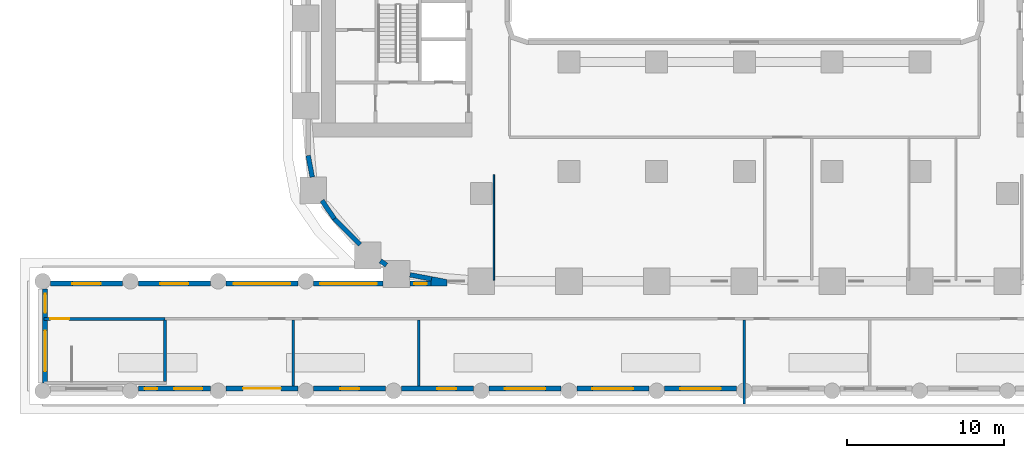
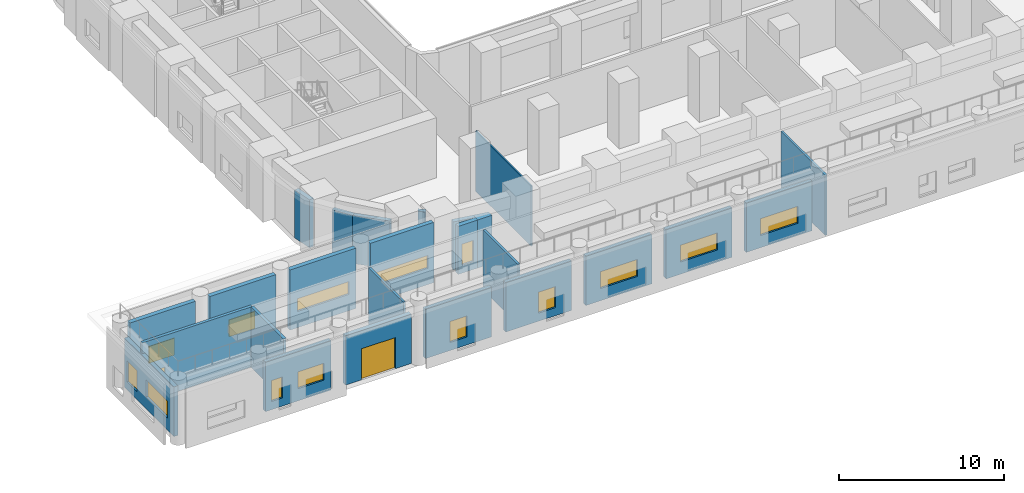
# One storey, part 2 of 13: 25 walls, 14 windows, 2 doors, 16 openings.
"""IFC4 building model written with IfcOpenShell, lengths in metres."""

from ifc_helpers import new_model, si_unit, direction, frame, frame_2d, origin, place, context, subcontext, project, spatial, polyline, rectangle, outline, extrude, material, layer, layer_set, type_object, element, fill, save


model = new_model("IFC4")

# Units and contexts
model_context = context("Model", 3, precision=1e-05, world=origin(), true_north=direction((0.0, 1.0)))
body_context = subcontext(model_context, "Body", "Model", "MODEL_VIEW")
ifc_project = project(units=[si_unit("LENGTHUNIT", "METRE"), si_unit("AREAUNIT", "SQUARE_METRE"), si_unit("VOLUMEUNIT", "CUBIC_METRE"), si_unit("PLANEANGLEUNIT", "RADIAN"), si_unit("MASSUNIT", "GRAM", prefix="KILO")], contexts=[model_context])

# Site, building, storey
site_placement = place(None, origin())
site = spatial("IfcSite", under=ifc_project, at=site_placement, CompositionType="ELEMENT")
building_placement = place(site_placement, origin())
building = spatial("IfcBuilding", under=site, at=building_placement, Name="Kiln Ring Residences", CompositionType="ELEMENT")
storey_placement = place(building_placement, frame((0.0, 0.0, 25.699951171875)))
storey = spatial("IfcBuildingStorey", under=building, at=storey_placement, Name="L05", CompositionType="ELEMENT", Elevation=25.699951171875)

# Walls
ifc_material_1 = material(Name="Brick masonry, dark clay brick", Category="masonry")
ifc_layer_1 = layer(ifc_material_1, 0.300048828125)
ifc_layer_set_1 = layer_set([ifc_layer_1], Name="EW-300 BRICK WALL")
wall_type_1 = type_object("IfcWallType", Name="EW-300 BRICK WALL", PredefinedType="SOLIDWALL", material=ifc_layer_set_1)
for number, where, z_axis, x_axis, name in (
    (1, (-27.8525390625, -14.371826171875, 0.0), (0.0, 0.0, 1.0), (0.187327504018, -0.982297514116, 0.0), "Facade wall L05 42"),
    (2, (-26.96923828125, -17.249755859375, 0.0), (0.0, 0.0, 1.0), (0.562010802008, -0.827129892112, 0.0), "Facade wall L05 43"),
):
    element("IfcWall", number, at=place(storey_placement, frame(where, z_axis=z_axis, x_axis=x_axis)), inside=storey, type_object=wall_type_1, Name=name, PredefinedType="SOLIDWALL", context=body_context, shape_type="SweptSolid", body=[
        extrude(rectangle(XDim=1.40625, YDim=0.300048828125, at=frame_2d((0.703125, 0.0))), origin(), (0.0, 0.0, 1.0), 3.550048828125),
    ])
wall_1_placement = place(storey_placement, frame((-26.19677734375, -18.390869140625, 0.0), z_axis=(0.0, 0.0, 1.0), x_axis=(0.707054835785, -0.707158722772, 0.0)))
element("IfcWall", 3, at=wall_1_placement, inside=storey, type_object=wall_type_1, Name="Facade wall L05 44", PredefinedType="SOLIDWALL", context=body_context, shape_type="SweptSolid", body=[
    extrude(rectangle(XDim=2.35009765625, YDim=0.300048828125, at=frame_2d((1.175048828125, 0.0))), origin(), (0.0, 0.0, 1.0), 3.550048828125),
])
wall_2_placement = place(storey_placement, frame((-23.244384765625, -21.10107421875, 0.0), z_axis=(0.0, 0.0, 1.0), x_axis=(0.827135885329, -0.562001981492, 0.0)))
element("IfcWall", 4, at=wall_2_placement, inside=storey, type_object=wall_type_1, Name="Facade wall L05 45", PredefinedType="SOLIDWALL", context=body_context, shape_type="SweptSolid", body=[
    extrude(rectangle(XDim=0.47705078125, YDim=0.300048828125, at=frame_2d((0.238525390625, 0.0))), origin(), (0.0, 0.0, 1.0), 4.449951171875),
])
wall_3_placement = place(storey_placement, frame((-21.35302734375, -21.9892578125, 0.0), z_axis=(0.0, 0.0, 1.0), x_axis=(0.98229142023, -0.187359455971, 0.0)))
element("IfcWall", 5, at=wall_3_placement, inside=storey, type_object=wall_type_1, Name="Facade wall L05 46", PredefinedType="SOLIDWALL", context=body_context, shape_type="SweptSolid", body=[
    extrude(rectangle(XDim=1.406005859375, YDim=0.300048828125, at=frame_2d((0.703125, 0.0))), origin(), (0.0, 0.0, 1.0), 3.550048828125),
])

# Wall, opening, window
wall_4_placement = place(storey_placement, frame((-20.0, -22.550048828125, 0.0), z_axis=(0.0, 0.0, 1.0), x_axis=(-1.0, 0.0, 0.0)))
wall_4 = element("IfcWall", 6, at=wall_4_placement, inside=storey, type_object=wall_type_1, Name="Facade wall L05 47", PredefinedType="SOLIDWALL", context=body_context, shape_type="SweptSolid", body=[
    extrude(rectangle(XDim=1.358642578125, YDim=0.300048828125, at=frame_2d((0.67919921875, 0.0))), origin(), (0.0, 0.0, 1.0), 3.550048828125),
])
opening_1_placement = place(wall_4_placement, frame((0.279296875, 0.0, 0.60009765625)))
opening_1 = element("IfcOpeningElement", 7, at=opening_1_placement, cuts=wall_4, Name="Opening W5", PredefinedType="OPENING", context=body_context, shape_type="SweptSolid", body=[
    extrude(rectangle(XDim=0.800048828125, YDim=1.550048828125, at=frame_2d((0.39990234375, 0.77490234375))), frame((0.0, 0.159912109375, 0.0), z_axis=(0.0, -1.0, 0.0), x_axis=(1.0, 0.0, 0.0)), (0.0, 0.0, 1.0), 0.320068359375),
])
ifc_material_2 = material(Name="Aluminium frame with double glazing", Category="aluminium")
window_type_1 = type_object("IfcWindowType", Name="WINDOW 800 x 1550", PartitioningType="SINGLE_PANEL", PredefinedType="WINDOW", material=ifc_material_2)
window_1_placement = place(opening_1_placement, origin())
window_1 = element("IfcWindow", 8, at=window_1_placement, inside=storey, type_object=window_type_1, Name="Window L05 19", OverallHeight=1.550048828125, OverallWidth=0.800048828125, PartitioningType="SINGLE_PANEL", PredefinedType="WINDOW", context=body_context, shape_type="SweptSolid", body=[
    extrude(rectangle(XDim=0.800048828125, YDim=1.550048828125, at=frame_2d((0.39990234375, 0.77490234375))), frame((0.0, 0.030029296875, 0.0), z_axis=(0.0, -1.0, 0.0), x_axis=(1.0, 0.0, 0.0)), (0.0, 0.0, 1.0), 0.06005859375),
])
fill(opening_1, window_1)

wall_5_placement = place(storey_placement, frame((-23.05859375, -22.550048828125, 0.0), z_axis=(0.0, 0.0, 1.0), x_axis=(-1.0, 0.0, 0.0)))
wall_5 = element("IfcWall", 9, at=wall_5_placement, inside=storey, type_object=wall_type_1, Name="Facade wall L05 48", PredefinedType="SOLIDWALL", context=body_context, shape_type="SweptSolid", body=[
    extrude(rectangle(XDim=4.44140625, YDim=0.300048828125, at=frame_2d((2.220703125, 0.0))), origin(), (0.0, 0.0, 1.0), 4.449951171875),
])
opening_2_placement = place(wall_5_placement, frame((0.420654296875, 0.0, 1.199951171875)))
opening_2 = element("IfcOpeningElement", 10, at=opening_2_placement, cuts=wall_5, Name="Opening W4", PredefinedType="OPENING", context=body_context, shape_type="SweptSolid", body=[
    extrude(rectangle(XDim=3.60009765625, YDim=0.949951171875, at=frame_2d((1.800048828125, 0.47509765625))), frame((0.0, 0.159912109375, 0.0), z_axis=(0.0, -1.0, 0.0), x_axis=(1.0, 0.0, 0.0)), (0.0, 0.0, 1.0), 0.320068359375),
])
ifc_material_3 = material(Name="Aluminium frame with double glazing", Category="aluminium")
window_type_2 = type_object("IfcWindowType", Name="WINDOW 3600 x 950", PartitioningType="SINGLE_PANEL", PredefinedType="WINDOW", material=ifc_material_3)
window_2_placement = place(opening_2_placement, origin())
window_2 = element("IfcWindow", 11, at=window_2_placement, inside=storey, type_object=window_type_2, Name="Window L05 20", OverallHeight=0.949951171875, OverallWidth=3.60009765625, PartitioningType="SINGLE_PANEL", PredefinedType="WINDOW", context=body_context, shape_type="SweptSolid", body=[
    extrude(rectangle(XDim=3.60009765625, YDim=0.949951171875, at=frame_2d((1.800048828125, 0.47509765625))), frame((0.0, 0.030029296875, 0.0), z_axis=(0.0, -1.0, 0.0), x_axis=(1.0, 0.0, 0.0)), (0.0, 0.0, 1.0), 0.06005859375),
])
fill(opening_2, window_2)

wall_6_placement = place(storey_placement, frame((-28.5, -22.550048828125, 0.0), z_axis=(0.0, 0.0, 1.0), x_axis=(-1.0, 0.0, 0.0)))
wall_6 = element("IfcWall", 12, at=wall_6_placement, inside=storey, type_object=wall_type_1, Name="Facade wall L05 49", PredefinedType="SOLIDWALL", context=body_context, shape_type="SweptSolid", body=[
    extrude(rectangle(XDim=4.60009765625, YDim=0.300048828125, at=frame_2d((2.300048828125, 0.0))), origin(), (0.0, 0.0, 1.0), 4.449951171875),
])
opening_3_placement = place(wall_6_placement, frame((0.5, 0.0, 1.199951171875)))
opening_3 = element("IfcOpeningElement", 13, at=opening_3_placement, cuts=wall_6, Name="Opening W4", PredefinedType="OPENING", context=body_context, shape_type="SweptSolid", body=[
    extrude(rectangle(XDim=3.60009765625, YDim=0.949951171875, at=frame_2d((1.800048828125, 0.47509765625))), frame((0.0, 0.159912109375, 0.0), z_axis=(0.0, -1.0, 0.0), x_axis=(1.0, 0.0, 0.0)), (0.0, 0.0, 1.0), 0.320068359375),
])
window_3_placement = place(opening_3_placement, origin())
window_3 = element("IfcWindow", 14, at=window_3_placement, inside=storey, type_object=window_type_2, Name="Window L05 21", OverallHeight=0.949951171875, OverallWidth=3.60009765625, PartitioningType="SINGLE_PANEL", PredefinedType="WINDOW", context=body_context, shape_type="SweptSolid", body=[
    extrude(rectangle(XDim=3.60009765625, YDim=0.949951171875, at=frame_2d((1.800048828125, 0.47509765625))), frame((0.0, 0.030029296875, 0.0), z_axis=(0.0, -1.0, 0.0), x_axis=(1.0, 0.0, 0.0)), (0.0, 0.0, 1.0), 0.06005859375),
])
fill(opening_3, window_3)

wall_7_placement = place(storey_placement, frame((-34.10009765625, -22.550048828125, 0.0), z_axis=(0.0, 0.0, 1.0), x_axis=(-1.0, 0.0, 0.0)))
wall_7 = element("IfcWall", 15, at=wall_7_placement, inside=storey, type_object=wall_type_1, Name="Facade wall L05 50", PredefinedType="SOLIDWALL", context=body_context, shape_type="SweptSolid", body=[
    extrude(rectangle(XDim=4.599853515625, YDim=0.300048828125, at=frame_2d((2.2998046875, 0.0))), origin(), (0.0, 0.0, 1.0), 4.449951171875),
])
opening_4_placement = place(wall_7_placement, frame((1.39990234375, 0.0, 0.89990234375)))
opening_4 = element("IfcOpeningElement", 16, at=opening_4_placement, cuts=wall_7, Name="Opening W2", PredefinedType="OPENING", context=body_context, shape_type="SweptSolid", body=[
    extrude(rectangle(XDim=1.800048828125, YDim=1.25, at=frame_2d((0.89990234375, 0.625))), frame((0.0, 0.159912109375, 0.0), z_axis=(0.0, -1.0, 0.0), x_axis=(1.0, 0.0, 0.0)), (0.0, 0.0, 1.0), 0.320068359375),
])
ifc_material_4 = material(Name="Aluminium frame with double glazing", Category="aluminium")
window_type_3 = type_object("IfcWindowType", Name="WINDOW 1800 x 1250", PartitioningType="SINGLE_PANEL", PredefinedType="WINDOW", material=ifc_material_4)
window_4_placement = place(opening_4_placement, origin())
window_4 = element("IfcWindow", 17, at=window_4_placement, inside=storey, type_object=window_type_3, Name="Window L05 22", OverallHeight=1.25, OverallWidth=1.800048828125, PartitioningType="SINGLE_PANEL", PredefinedType="WINDOW", context=body_context, shape_type="SweptSolid", body=[
    extrude(rectangle(XDim=1.800048828125, YDim=1.25, at=frame_2d((0.89990234375, 0.625))), frame((0.0, 0.030029296875, 0.0), z_axis=(0.0, -1.0, 0.0), x_axis=(1.0, 0.0, 0.0)), (0.0, 0.0, 1.0), 0.06005859375),
])
fill(opening_4, window_4)

wall_8_placement = place(storey_placement, frame((-39.699951171875, -22.550048828125, 0.0), z_axis=(0.0, 0.0, 1.0), x_axis=(-1.0, 0.0, 0.0)))
wall_8 = element("IfcWall", 18, at=wall_8_placement, inside=storey, type_object=wall_type_1, Name="Facade wall L05 51", PredefinedType="SOLIDWALL", context=body_context, shape_type="SweptSolid", body=[
    extrude(rectangle(XDim=4.60009765625, YDim=0.300048828125, at=frame_2d((2.300048828125, 0.0))), origin(), (0.0, 0.0, 1.0), 4.449951171875),
])
opening_5_placement = place(wall_8_placement, frame((1.39990234375, 0.0, 0.89990234375)))
opening_5 = element("IfcOpeningElement", 19, at=opening_5_placement, cuts=wall_8, Name="Opening W2", PredefinedType="OPENING", context=body_context, shape_type="SweptSolid", body=[
    extrude(rectangle(XDim=1.800048828125, YDim=1.25, at=frame_2d((0.89990234375, 0.625))), frame((0.0, 0.159912109375, 0.0), z_axis=(0.0, -1.0, 0.0), x_axis=(1.0, 0.0, 0.0)), (0.0, 0.0, 1.0), 0.320068359375),
])
window_5_placement = place(opening_5_placement, origin())
window_5 = element("IfcWindow", 20, at=window_5_placement, inside=storey, type_object=window_type_3, Name="Window L05 23", OverallHeight=1.25, OverallWidth=1.800048828125, PartitioningType="SINGLE_PANEL", PredefinedType="WINDOW", context=body_context, shape_type="SweptSolid", body=[
    extrude(rectangle(XDim=1.800048828125, YDim=1.25, at=frame_2d((0.89990234375, 0.625))), frame((0.0, 0.030029296875, 0.0), z_axis=(0.0, -1.0, 0.0), x_axis=(1.0, 0.0, 0.0)), (0.0, 0.0, 1.0), 0.06005859375),
])
fill(opening_5, window_5)

# Wall, openings, windows
wall_9_placement = place(storey_placement, frame((-44.64990234375, -22.89990234375, 0.0), z_axis=(0.0, 0.0, 1.0), x_axis=(0.0, -1.0, 0.0)))
wall_9 = element("IfcWall", 21, at=wall_9_placement, inside=storey, type_object=wall_type_1, Name="Facade wall L05 52", PredefinedType="SOLIDWALL", context=body_context, shape_type="SweptSolid", body=[
    extrude(rectangle(XDim=6.0, YDim=0.300048828125, at=frame_2d((3.0, 0.0))), origin(), (0.0, 0.0, 1.0), 3.650146484375),
])
opening_6_placement = place(wall_9_placement, frame((0.3125, 0.0, 0.60009765625)))
opening_6 = element("IfcOpeningElement", 22, at=opening_6_placement, cuts=wall_9, Name="Opening W1", PredefinedType="OPENING", context=body_context, shape_type="SweptSolid", body=[
    extrude(rectangle(XDim=1.199951171875, YDim=1.550048828125, at=frame_2d((0.60009765625, 0.77490234375))), frame((0.0, 0.159912109375, 0.0), z_axis=(0.0, -1.0, 0.0), x_axis=(1.0, 0.0, 0.0)), (0.0, 0.0, 1.0), 0.320068359375),
])
opening_7_placement = place(wall_9_placement, frame((2.64990234375, 0.0, 0.89990234375)))
opening_7 = element("IfcOpeningElement", 23, at=opening_7_placement, cuts=wall_9, Name="Opening W3", PredefinedType="OPENING", context=body_context, shape_type="SweptSolid", body=[
    extrude(rectangle(XDim=2.60009765625, YDim=1.25, at=frame_2d((1.300048828125, 0.625))), frame((0.0, 0.159912109375, 0.0), z_axis=(0.0, -1.0, 0.0), x_axis=(1.0, 0.0, 0.0)), (0.0, 0.0, 1.0), 0.320068359375),
])
ifc_material_5 = material(Name="Aluminium frame with double glazing", Category="aluminium")
window_type_4 = type_object("IfcWindowType", Name="WINDOW 1200 x 1550", PartitioningType="SINGLE_PANEL", PredefinedType="WINDOW", material=ifc_material_5)
window_6_placement = place(opening_6_placement, origin())
window_6 = element("IfcWindow", 24, at=window_6_placement, inside=storey, type_object=window_type_4, Name="Window L05 24", OverallHeight=1.550048828125, OverallWidth=1.199951171875, PartitioningType="SINGLE_PANEL", PredefinedType="WINDOW", context=body_context, shape_type="SweptSolid", body=[
    extrude(rectangle(XDim=1.199951171875, YDim=1.550048828125, at=frame_2d((0.60009765625, 0.77490234375))), frame((0.0, 0.030029296875, 0.0), z_axis=(0.0, -1.0, 0.0), x_axis=(1.0, 0.0, 0.0)), (0.0, 0.0, 1.0), 0.06005859375),
])
fill(opening_6, window_6)
ifc_material_6 = material(Name="Aluminium frame with double glazing", Category="aluminium")
window_type_5 = type_object("IfcWindowType", Name="WINDOW 2600 x 1250", PartitioningType="SINGLE_PANEL", PredefinedType="WINDOW", material=ifc_material_6)
window_7_placement = place(opening_7_placement, origin())
window_7 = element("IfcWindow", 25, at=window_7_placement, inside=storey, type_object=window_type_5, Name="Window L05 25", OverallHeight=1.25, OverallWidth=2.60009765625, PartitioningType="SINGLE_PANEL", PredefinedType="WINDOW", context=body_context, shape_type="SweptSolid", body=[
    extrude(rectangle(XDim=2.60009765625, YDim=1.25, at=frame_2d((1.300048828125, 0.625))), frame((0.0, 0.030029296875, 0.0), z_axis=(0.0, -1.0, 0.0), x_axis=(1.0, 0.0, 0.0)), (0.0, 0.0, 1.0), 0.06005859375),
])
fill(opening_7, window_7)

wall_10_placement = place(storey_placement, frame((-38.699951171875, -29.25, 0.0), z_axis=(0.0, 0.0, 1.0), x_axis=(1.0, 0.0, 0.0)))
wall_10 = element("IfcWall", 26, at=wall_10_placement, inside=storey, type_object=wall_type_1, Name="Facade wall L05 54", PredefinedType="SOLIDWALL", context=body_context, shape_type="SweptSolid", body=[
    extrude(rectangle(XDim=4.599853515625, YDim=0.300048828125, at=frame_2d((2.2998046875, 0.0))), origin(), (0.0, 0.0, 1.0), 3.650146484375),
])
opening_8_placement = place(wall_10_placement, frame((0.41259765625, 0.0, 0.60009765625)))
opening_8 = element("IfcOpeningElement", 27, at=opening_8_placement, cuts=wall_10, Name="Opening W5", PredefinedType="OPENING", context=body_context, shape_type="SweptSolid", body=[
    extrude(rectangle(XDim=0.800048828125, YDim=1.550048828125, at=frame_2d((0.39990234375, 0.77490234375))), frame((0.0, 0.159912109375, 0.0), z_axis=(0.0, -1.0, 0.0), x_axis=(1.0, 0.0, 0.0)), (0.0, 0.0, 1.0), 0.320068359375),
])
opening_9_placement = place(wall_10_placement, frame((2.28759765625, 0.0, 0.89990234375)))
opening_9 = element("IfcOpeningElement", 28, at=opening_9_placement, cuts=wall_10, Name="Opening W2", PredefinedType="OPENING", context=body_context, shape_type="SweptSolid", body=[
    extrude(rectangle(XDim=1.800048828125, YDim=1.25, at=frame_2d((0.89990234375, 0.625))), frame((0.0, 0.159912109375, 0.0), z_axis=(0.0, -1.0, 0.0), x_axis=(1.0, 0.0, 0.0)), (0.0, 0.0, 1.0), 0.320068359375),
])
window_8_placement = place(opening_9_placement, origin())
window_8 = element("IfcWindow", 29, at=window_8_placement, inside=storey, type_object=window_type_3, Name="Window L05 28", OverallHeight=1.25, OverallWidth=1.800048828125, PartitioningType="SINGLE_PANEL", PredefinedType="WINDOW", context=body_context, shape_type="SweptSolid", body=[
    extrude(rectangle(XDim=1.800048828125, YDim=1.25, at=frame_2d((0.89990234375, 0.625))), frame((0.0, 0.030029296875, 0.0), z_axis=(0.0, -1.0, 0.0), x_axis=(1.0, 0.0, 0.0)), (0.0, 0.0, 1.0), 0.06005859375),
])
fill(opening_9, window_8)
window_9_placement = place(opening_8_placement, origin())
window_9 = element("IfcWindow", 30, at=window_9_placement, inside=storey, type_object=window_type_1, Name="Window L05 27", OverallHeight=1.550048828125, OverallWidth=0.800048828125, PartitioningType="SINGLE_PANEL", PredefinedType="WINDOW", context=body_context, shape_type="SweptSolid", body=[
    extrude(rectangle(XDim=0.800048828125, YDim=1.550048828125, at=frame_2d((0.39990234375, 0.77490234375))), frame((0.0, 0.030029296875, 0.0), z_axis=(0.0, -1.0, 0.0), x_axis=(1.0, 0.0, 0.0)), (0.0, 0.0, 1.0), 0.06005859375),
])
fill(opening_8, window_9)

# Wall, opening, door
wall_11_placement = place(storey_placement, frame((-33.10009765625, -29.25, 0.0), z_axis=(0.0, 0.0, 1.0), x_axis=(1.0, 0.0, 0.0)))
wall_11 = element("IfcWall", 31, at=wall_11_placement, inside=storey, type_object=wall_type_1, Name="Facade wall L05 55", PredefinedType="SOLIDWALL", context=body_context, shape_type="SweptSolid", body=[
    extrude(rectangle(XDim=4.60009765625, YDim=0.300048828125, at=frame_2d((2.300048828125, 0.0))), origin(), (0.0, 0.0, 1.0), 3.650146484375),
])
opening_10_placement = place(wall_11_placement, frame((1.10009765625, 0.0, 0.0)))
opening_10 = element("IfcOpeningElement", 32, at=opening_10_placement, cuts=wall_11, Name="Opening EL05-1", PredefinedType="OPENING", context=body_context, shape_type="SweptSolid", body=[
    extrude(rectangle(XDim=2.39990234375, YDim=2.300048828125, at=frame_2d((1.199951171875, 1.14990234375))), frame((0.0, 0.159912109375, 0.0), z_axis=(0.0, -1.0, 0.0), x_axis=(1.0, 0.0, 0.0)), (0.0, 0.0, 1.0), 0.320068359375),
])
ifc_material_7 = material(Name="Aluminium and glass", Category="aluminium")
door_type_1 = type_object("IfcDoorType", Name="TERRACE DOOR 2400 x 2300", OperationType="DOUBLE_DOOR_SINGLE_SWING", PredefinedType="DOOR", material=ifc_material_7)
door_1_placement = place(opening_10_placement, origin())
door_1 = element("IfcDoor", 33, at=door_1_placement, inside=storey, type_object=door_type_1, Name="Terrace door EL05-1", OperationType="SINGLE_SWING_LEFT", OverallHeight=2.300048828125, OverallWidth=2.39990234375, PredefinedType="DOOR", context=body_context, shape_type="SweptSolid", body=[
    extrude(rectangle(XDim=2.39990234375, YDim=2.300048828125, at=frame_2d((1.199951171875, 1.14990234375))), frame((0.0, 0.02490234375, 0.0), z_axis=(0.0, -1.0, 0.0), x_axis=(1.0, 0.0, 0.0)), (0.0, 0.0, 1.0), 0.050048828125),
])
fill(opening_10, door_1)

# Wall, opening, window
wall_12_placement = place(storey_placement, frame((-27.5, -29.25, 0.0), z_axis=(0.0, 0.0, 1.0), x_axis=(1.0, 0.0, 0.0)))
wall_12 = element("IfcWall", 34, at=wall_12_placement, inside=storey, type_object=wall_type_1, Name="Facade wall L05 56", PredefinedType="SOLIDWALL", context=body_context, shape_type="SweptSolid", body=[
    extrude(rectangle(XDim=4.60009765625, YDim=0.300048828125, at=frame_2d((2.300048828125, 0.0))), origin(), (0.0, 0.0, 1.0), 3.650146484375),
])
opening_11_placement = place(wall_12_placement, frame((1.699951171875, 0.0, 0.60009765625)))
opening_11 = element("IfcOpeningElement", 35, at=opening_11_placement, cuts=wall_12, Name="Opening W1", PredefinedType="OPENING", context=body_context, shape_type="SweptSolid", body=[
    extrude(rectangle(XDim=1.199951171875, YDim=1.550048828125, at=frame_2d((0.60009765625, 0.77490234375))), frame((0.0, 0.159912109375, 0.0), z_axis=(0.0, -1.0, 0.0), x_axis=(1.0, 0.0, 0.0)), (0.0, 0.0, 1.0), 0.320068359375),
])
window_10_placement = place(opening_11_placement, origin())
window_10 = element("IfcWindow", 36, at=window_10_placement, inside=storey, type_object=window_type_4, Name="Window L05 29", OverallHeight=1.550048828125, OverallWidth=1.199951171875, PartitioningType="SINGLE_PANEL", PredefinedType="WINDOW", context=body_context, shape_type="SweptSolid", body=[
    extrude(rectangle(XDim=1.199951171875, YDim=1.550048828125, at=frame_2d((0.60009765625, 0.77490234375))), frame((0.0, 0.030029296875, 0.0), z_axis=(0.0, -1.0, 0.0), x_axis=(1.0, 0.0, 0.0)), (0.0, 0.0, 1.0), 0.06005859375),
])
fill(opening_11, window_10)

wall_13_placement = place(storey_placement, frame((-21.89990234375, -29.25, 0.0), z_axis=(0.0, 0.0, 1.0), x_axis=(1.0, 0.0, 0.0)))
wall_13 = element("IfcWall", 37, at=wall_13_placement, inside=storey, type_object=wall_type_1, Name="Facade wall L05 57", PredefinedType="SOLIDWALL", context=body_context, shape_type="SweptSolid", body=[
    extrude(rectangle(XDim=4.599853515625, YDim=0.300048828125, at=frame_2d((2.2998046875, 0.0))), origin(), (0.0, 0.0, 1.0), 3.650146484375),
])
opening_12_placement = place(wall_13_placement, frame((2.28759765625, 0.0, 0.60009765625)))
opening_12 = element("IfcOpeningElement", 38, at=opening_12_placement, cuts=wall_13, Name="Opening W1", PredefinedType="OPENING", context=body_context, shape_type="SweptSolid", body=[
    extrude(rectangle(XDim=1.199951171875, YDim=1.550048828125, at=frame_2d((0.60009765625, 0.77490234375))), frame((0.0, 0.159912109375, 0.0), z_axis=(0.0, -1.0, 0.0), x_axis=(1.0, 0.0, 0.0)), (0.0, 0.0, 1.0), 0.320068359375),
])
window_11_placement = place(opening_12_placement, origin())
window_11 = element("IfcWindow", 39, at=window_11_placement, inside=storey, type_object=window_type_4, Name="Window L05 30", OverallHeight=1.550048828125, OverallWidth=1.199951171875, PartitioningType="SINGLE_PANEL", PredefinedType="WINDOW", context=body_context, shape_type="SweptSolid", body=[
    extrude(rectangle(XDim=1.199951171875, YDim=1.550048828125, at=frame_2d((0.60009765625, 0.77490234375))), frame((0.0, 0.030029296875, 0.0), z_axis=(0.0, -1.0, 0.0), x_axis=(1.0, 0.0, 0.0)), (0.0, 0.0, 1.0), 0.06005859375),
])
fill(opening_12, window_11)

wall_14_placement = place(storey_placement, frame((-16.300048828125, -29.25, 0.0), z_axis=(0.0, 0.0, 1.0), x_axis=(1.0, 0.0, 0.0)))
wall_14 = element("IfcWall", 40, at=wall_14_placement, inside=storey, type_object=wall_type_1, Name="Facade wall L05 58", PredefinedType="SOLIDWALL", context=body_context, shape_type="SweptSolid", body=[
    extrude(rectangle(XDim=4.60009765625, YDim=0.300048828125, at=frame_2d((2.300048828125, 0.0))), origin(), (0.0, 0.0, 1.0), 3.650146484375),
])
opening_13_placement = place(wall_14_placement, frame((1.0, 0.0, 0.89990234375)))
opening_13 = element("IfcOpeningElement", 41, at=opening_13_placement, cuts=wall_14, Name="Opening W3", PredefinedType="OPENING", context=body_context, shape_type="SweptSolid", body=[
    extrude(rectangle(XDim=2.60009765625, YDim=1.25, at=frame_2d((1.300048828125, 0.625))), frame((0.0, 0.159912109375, 0.0), z_axis=(0.0, -1.0, 0.0), x_axis=(1.0, 0.0, 0.0)), (0.0, 0.0, 1.0), 0.320068359375),
])
window_12_placement = place(opening_13_placement, origin())
window_12 = element("IfcWindow", 42, at=window_12_placement, inside=storey, type_object=window_type_5, Name="Window L05 31", OverallHeight=1.25, OverallWidth=2.60009765625, PartitioningType="SINGLE_PANEL", PredefinedType="WINDOW", context=body_context, shape_type="SweptSolid", body=[
    extrude(rectangle(XDim=2.60009765625, YDim=1.25, at=frame_2d((1.300048828125, 0.625))), frame((0.0, 0.030029296875, 0.0), z_axis=(0.0, -1.0, 0.0), x_axis=(1.0, 0.0, 0.0)), (0.0, 0.0, 1.0), 0.06005859375),
])
fill(opening_13, window_12)

wall_15_placement = place(storey_placement, frame((-10.699951171875, -29.25, 0.0), z_axis=(0.0, 0.0, 1.0), x_axis=(1.0, 0.0, 0.0)))
wall_15 = element("IfcWall", 43, at=wall_15_placement, inside=storey, type_object=wall_type_1, Name="Facade wall L05 59", PredefinedType="SOLIDWALL", context=body_context, shape_type="SweptSolid", body=[
    extrude(rectangle(XDim=4.599853515625, YDim=0.300048828125, at=frame_2d((2.2998046875, 0.0))), origin(), (0.0, 0.0, 1.0), 3.650146484375),
])
opening_14_placement = place(wall_15_placement, frame((1.0, 0.0, 0.89990234375)))
opening_14 = element("IfcOpeningElement", 44, at=opening_14_placement, cuts=wall_15, Name="Opening W3", PredefinedType="OPENING", context=body_context, shape_type="SweptSolid", body=[
    extrude(rectangle(XDim=2.60009765625, YDim=1.25, at=frame_2d((1.300048828125, 0.625))), frame((0.0, 0.159912109375, 0.0), z_axis=(0.0, -1.0, 0.0), x_axis=(1.0, 0.0, 0.0)), (0.0, 0.0, 1.0), 0.320068359375),
])
window_13_placement = place(opening_14_placement, origin())
window_13 = element("IfcWindow", 45, at=window_13_placement, inside=storey, type_object=window_type_5, Name="Window L05 32", OverallHeight=1.25, OverallWidth=2.60009765625, PartitioningType="SINGLE_PANEL", PredefinedType="WINDOW", context=body_context, shape_type="SweptSolid", body=[
    extrude(rectangle(XDim=2.60009765625, YDim=1.25, at=frame_2d((1.300048828125, 0.625))), frame((0.0, 0.030029296875, 0.0), z_axis=(0.0, -1.0, 0.0), x_axis=(1.0, 0.0, 0.0)), (0.0, 0.0, 1.0), 0.06005859375),
])
fill(opening_14, window_13)

wall_16_placement = place(storey_placement, frame((-5.10009765625, -29.25, 0.0), z_axis=(0.0, 0.0, 1.0), x_axis=(1.0, 0.0, 0.0)))
wall_16 = element("IfcWall", 46, at=wall_16_placement, inside=storey, type_object=wall_type_1, Name="Facade wall L05 60", PredefinedType="SOLIDWALL", context=body_context, shape_type="SweptSolid", body=[
    extrude(rectangle(XDim=4.60009765625, YDim=0.300048828125, at=frame_2d((2.300048828125, 0.0))), origin(), (0.0, 0.0, 1.0), 3.650146484375),
])
opening_15_placement = place(wall_16_placement, frame((1.0, 0.0, 0.89990234375)))
opening_15 = element("IfcOpeningElement", 47, at=opening_15_placement, cuts=wall_16, Name="Opening W3", PredefinedType="OPENING", context=body_context, shape_type="SweptSolid", body=[
    extrude(rectangle(XDim=2.60009765625, YDim=1.25, at=frame_2d((1.300048828125, 0.625))), frame((0.0, 0.159912109375, 0.0), z_axis=(0.0, -1.0, 0.0), x_axis=(1.0, 0.0, 0.0)), (0.0, 0.0, 1.0), 0.320068359375),
])
window_14_placement = place(opening_15_placement, origin())
window_14 = element("IfcWindow", 48, at=window_14_placement, inside=storey, type_object=window_type_5, Name="Window L05 33", OverallHeight=1.25, OverallWidth=2.60009765625, PartitioningType="SINGLE_PANEL", PredefinedType="WINDOW", context=body_context, shape_type="SweptSolid", body=[
    extrude(rectangle(XDim=2.60009765625, YDim=1.25, at=frame_2d((1.300048828125, 0.625))), frame((0.0, 0.030029296875, 0.0), z_axis=(0.0, -1.0, 0.0), x_axis=(1.0, 0.0, 0.0)), (0.0, 0.0, 1.0), 0.06005859375),
])
fill(opening_15, window_14)

# Walls
wall_17_placement = place(storey_placement, origin())
element("IfcWall", 49, at=wall_17_placement, inside=storey, type_object=wall_type_1, Name="Corner wall L05 2", PredefinedType="SOLIDWALL", context=body_context, shape_type="SweptSolid", body=[
    extrude(outline(polyline([(-20.0, -22.699951171875), (-19.0, -22.699951171875), (-19.0, -22.285400390625), (-19.94384765625, -22.105224609375), (-20.0, -22.39990234375), (-20.0, -22.699951171875)])), origin(), (0.0, 0.0, 1.0), 3.550048828125),
])
ifc_material_8 = material(Name="Gypsum board on steel studs", Category="steel")
ifc_layer_2 = layer(ifc_material_8, 0.10009765625)
ifc_layer_set_2 = layer_set([ifc_layer_2], Name="PARTITION-100")
wall_type_2 = type_object("IfcWallType", Name="PARTITION-100", PredefinedType="PARTITIONING", material=ifc_layer_set_2)
wall_18_placement = place(storey_placement, frame((-16.0, -22.324951171875, 0.0), z_axis=(0.0, 0.0, 1.0), x_axis=(0.0, 1.0, 0.0)))
element("IfcWall", 50, at=wall_18_placement, inside=storey, type_object=wall_type_2, Name="Partition 013", PredefinedType="PARTITIONING", context=body_context, shape_type="SweptSolid", body=[
    extrude(rectangle(XDim=6.724853515625, YDim=0.10009765625, at=frame_2d((3.3623046875, 0.0))), origin(), (0.0, 0.0, 1.0), 4.449951171875),
])
ifc_material_9 = material(Name="Brick masonry partition", Category="masonry")
ifc_layer_3 = layer(ifc_material_9, 0.14990234375)
ifc_layer_set_3 = layer_set([ifc_layer_3], Name="PARTITION-150-ei60")
wall_type_3 = type_object("IfcWallType", Name="PARTITION-150-ei60", PredefinedType="PARTITIONING", material=ifc_layer_set_3)
for number, where, z_axis, x_axis, name in (
    (51, (-28.800048828125, -29.080078125, 0.0), (0.0, 0.0, 1.0), (0.0, 1.0, 0.0), "Partition 010"),
    (52, (-20.800048828125, -29.080078125, 0.0), (0.0, 0.0, 1.0), (0.0, 1.0, 0.0), "Partition 011"),
):
    element("IfcWall", number, at=place(storey_placement, frame(where, z_axis=z_axis, x_axis=x_axis)), inside=storey, type_object=wall_type_3, Name=name, PredefinedType="PARTITIONING", context=body_context, shape_type="SweptSolid", body=[
        extrude(rectangle(XDim=4.205078125, YDim=0.14990234375, at=frame_2d((2.1025390625, 0.0))), origin(), (0.0, 0.0, 1.0), 4.449951171875),
    ])
wall_19_placement = place(storey_placement, frame((0.0, -30.22998046875, 0.0), z_axis=(0.0, 0.0, 1.0), x_axis=(0.0, 1.0, 0.0)))
element("IfcWall", 53, at=wall_19_placement, inside=storey, type_object=wall_type_3, Name="Partition 017", PredefinedType="PARTITIONING", context=body_context, shape_type="SweptSolid", body=[
    extrude(rectangle(XDim=5.35498046875, YDim=0.14990234375, at=frame_2d((2.677490234375, 0.0))), origin(), (0.0, 0.0, 1.0), 4.449951171875),
])

# Wall, opening, door
ifc_material_10 = material(Name="Concrete C40/50", Category="concrete")
ifc_layer_4 = layer(ifc_material_10, 0.199951171875)
ifc_layer_set_4 = layer_set([ifc_layer_4], Name="PODIUM-STAIR-WALL-200")
wall_type_4 = type_object("IfcWallType", Name="PODIUM-STAIR-WALL-200", PredefinedType="SHEAR", material=ifc_layer_set_4)
wall_20_placement = place(storey_placement, frame((-44.7099609375, -24.800048828125, 0.0), z_axis=(0.0, 0.0, 1.0), x_axis=(1.0, 0.0, 0.0)))
wall_20 = element("IfcWall", 54, at=wall_20_placement, inside=storey, type_object=wall_type_4, Name="Stair wall 003", PredefinedType="SHEAR", context=body_context, shape_type="SweptSolid", body=[
    extrude(rectangle(XDim=7.7099609375, YDim=0.199951171875, at=frame_2d((3.85498046875, 0.0))), origin(), (0.0, 0.0, 1.0), 4.449951171875),
])
opening_16_placement = place(wall_20_placement, frame((0.39990234375, 0.0, 0.0)))
opening_16 = element("IfcOpeningElement", 55, at=opening_16_placement, cuts=wall_20, Name="Opening L05-D006", PredefinedType="OPENING", context=body_context, shape_type="SweptSolid", body=[
    extrude(rectangle(XDim=1.199951171875, YDim=2.10009765625, at=frame_2d((0.60009765625, 1.050048828125))), frame((0.0, 0.10986328125, 0.0), z_axis=(0.0, -1.0, 0.0), x_axis=(1.0, 0.0, 0.0)), (0.0, 0.0, 1.0), 0.219970703125),
])
ifc_material_11 = material(Name="Steel faced fire door leaf", Category="steel")
door_type_2 = type_object("IfcDoorType", Name="FLAT-DOOR-1200-FR", OperationType="SINGLE_SWING_LEFT", PredefinedType="DOOR", material=ifc_material_11)
door_2_placement = place(opening_16_placement, origin())
door_2 = element("IfcDoor", 56, at=door_2_placement, inside=storey, type_object=door_type_2, Name="Door L05-D006", OperationType="SINGLE_SWING_LEFT", OverallHeight=2.10009765625, OverallWidth=1.199951171875, PredefinedType="DOOR", context=body_context, shape_type="SweptSolid", body=[
    extrude(rectangle(XDim=1.199951171875, YDim=2.10009765625, at=frame_2d((0.60009765625, 1.050048828125))), frame((0.0, 0.02490234375, 0.0), z_axis=(0.0, -1.0, 0.0), x_axis=(1.0, 0.0, 0.0)), (0.0, 0.0, 1.0), 0.050048828125),
])
fill(opening_16, door_2)

# Wall
wall_21_placement = place(storey_placement, frame((-37.0, -28.800048828125, 0.0), z_axis=(0.0, 0.0, 1.0), x_axis=(0.0, 1.0, 0.0)))
element("IfcWall", 57, at=wall_21_placement, inside=storey, type_object=wall_type_4, Name="Stair wall 009", PredefinedType="SHEAR", context=body_context, shape_type="SweptSolid", body=[
    extrude(rectangle(XDim=3.925048828125, YDim=0.199951171875, at=frame_2d((1.96240234375, 0.0))), origin(), (0.0, 0.0, 1.0), 4.449951171875),
])

save(model, "model.ifc")
